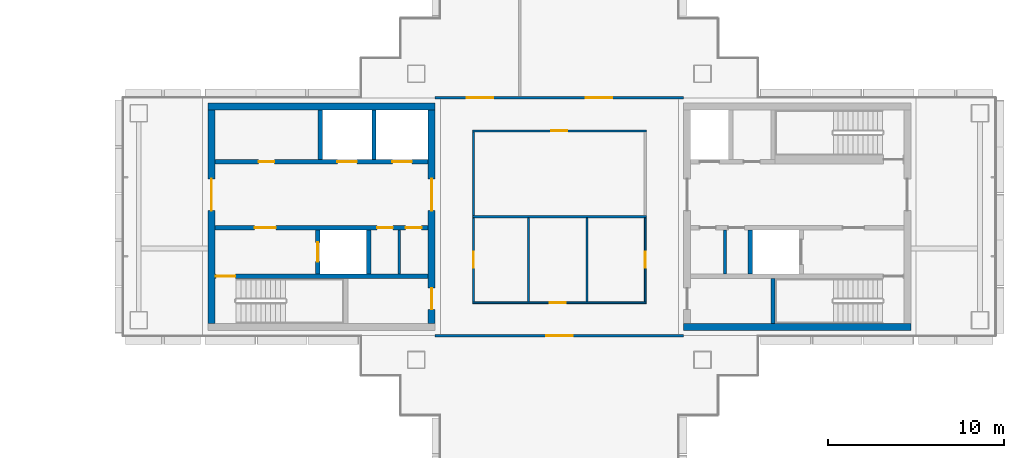
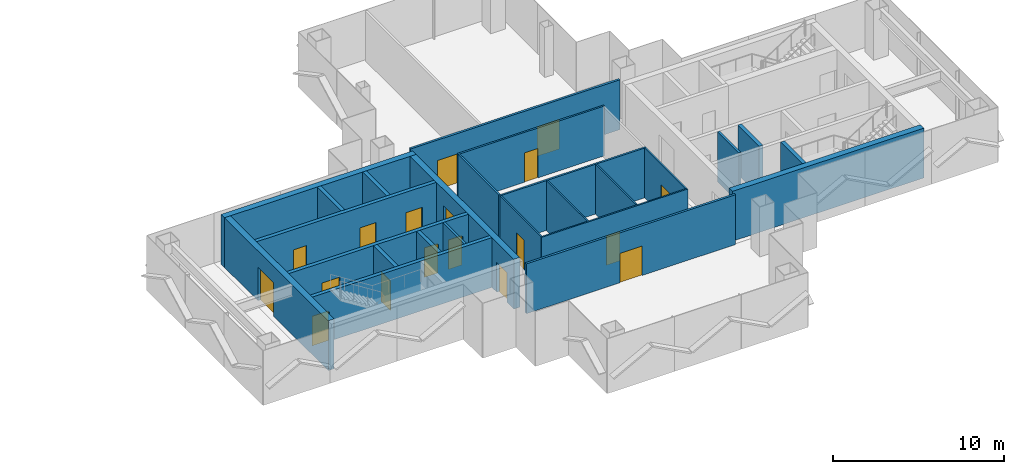
# One storey, part 11 of 17: 25 walls, 18 doors, 18 openings.
"""IFC4 building model written with IfcOpenShell, lengths in metres."""

from ifc_helpers import new_model, si_unit, direction, frame, frame_2d, origin, place, context, subcontext, project, spatial, rectangle, extrude, material, layer, layer_set, type_object, element, fill, save


model = new_model("IFC4")

# Units and contexts
model_context = context("Model", 3, precision=1e-05, world=origin(), true_north=direction((0.0, 1.0)))
body_context = subcontext(model_context, "Body", "Model", "MODEL_VIEW")
ifc_project = project(units=[si_unit("LENGTHUNIT", "METRE"), si_unit("AREAUNIT", "SQUARE_METRE"), si_unit("VOLUMEUNIT", "CUBIC_METRE"), si_unit("PLANEANGLEUNIT", "RADIAN"), si_unit("MASSUNIT", "GRAM", prefix="KILO")], contexts=[model_context])

# Site, building, storey
site_placement = place(None, origin())
site = spatial("IfcSite", under=ifc_project, at=site_placement, CompositionType="ELEMENT")
building_placement = place(site_placement, origin())
building = spatial("IfcBuilding", under=site, at=building_placement, Name="Shamsa Quay Exchange Towers", CompositionType="ELEMENT")
storey_placement = place(building_placement, frame((0.0, 0.0, 217.800048828125)))
storey = spatial("IfcBuildingStorey", under=building, at=storey_placement, Name="L52", CompositionType="ELEMENT", Elevation=217.800048828125)

# Wall
ifc_material_1 = material(Name="Concrete C60/75", Category="concrete")
ifc_layer_1 = layer(ifc_material_1, 0.39990234375)
ifc_layer_set_1 = layer_set([ifc_layer_1], Name="CORE WALL 400 C60/75")
wall_type_1 = type_object("IfcWallType", Name="CORE WALL 400 C60/75", PredefinedType="SHEAR", material=ifc_layer_set_1)
wall_1_placement = place(storey_placement, frame((13.800048828125, 6.25, 0.0)))
element("IfcWall", 1, at=wall_1_placement, inside=storey, type_object=wall_type_1, Name="Core wall T2A-R24-PN", PredefinedType="SHEAR", context=body_context, shape_type="SweptSolid", body=[
    extrude(rectangle(XDim=12.89990234375, YDim=0.39990234375, at=frame_2d((6.449951171875, 0.0))), origin(), (0.0, 0.0, 1.0), 3.550048828125),
])

# Wall, opening, door
wall_2_placement = place(storey_placement, frame((14.0, 6.050048828125, 0.0), z_axis=(0.0, 0.0, 1.0), x_axis=(0.0, -1.0, 0.0)))
wall_2 = element("IfcWall", 2, at=wall_2_placement, inside=storey, type_object=wall_type_1, Name="Core wall T2A-R24-PF", PredefinedType="SHEAR", context=body_context, shape_type="SweptSolid", body=[
    extrude(rectangle(XDim=12.10009765625, YDim=0.39990234375, at=frame_2d((6.050048828125, 0.0))), origin(), (0.0, 0.0, 1.0), 3.550048828125),
])
opening_1_placement = place(wall_2_placement, frame((3.89990234375, 0.0, 0.0)))
opening_1 = element("IfcOpeningElement", 3, at=opening_1_placement, cuts=wall_2, Name="Opening T2A-R24-LBD01", PredefinedType="OPENING", context=body_context, shape_type="SweptSolid", body=[
    extrude(rectangle(XDim=1.800048828125, YDim=2.39990234375, at=frame_2d((0.89990234375, 1.199951171875))), frame((0.0, 0.2099609375, 0.0), z_axis=(0.0, -1.0, 0.0), x_axis=(1.0, 0.0, 0.0)), (0.0, 0.0, 1.0), 0.419921875),
])
ifc_material_2 = material(Name="Steel, fire rated", Category="steel")
door_type_1 = type_object("IfcDoorType", Name="LIFT LOBBY DOOR PAIR 1800", OperationType="DOUBLE_DOOR_SINGLE_SWING", PredefinedType="DOOR", material=ifc_material_2)
door_1_placement = place(opening_1_placement, origin())
door_1 = element("IfcDoor", 4, at=door_1_placement, inside=storey, type_object=door_type_1, Name="T2A-R24-LBD01", OperationType="DOUBLE_DOOR_SINGLE_SWING", OverallHeight=2.39990234375, OverallWidth=1.800048828125, PredefinedType="DOOR", context=body_context, shape_type="SweptSolid", body=[
    extrude(rectangle(XDim=1.800048828125, YDim=2.39990234375, at=frame_2d((0.89990234375, 1.199951171875))), frame((0.0, 0.02490234375, 0.0), z_axis=(0.0, -1.0, 0.0), x_axis=(1.0, 0.0, 0.0)), (0.0, 0.0, 1.0), 0.050048828125),
])
fill(opening_1, door_1)

# Wall, openings, doors
wall_3_placement = place(storey_placement, frame((26.5, 6.050048828125, 0.0), z_axis=(0.0, 0.0, 1.0), x_axis=(0.0, -1.0, 0.0)))
wall_3 = element("IfcWall", 5, at=wall_3_placement, inside=storey, type_object=wall_type_1, Name="Core wall T2A-R24-PB", PredefinedType="SHEAR", context=body_context, shape_type="SweptSolid", body=[
    extrude(rectangle(XDim=12.10009765625, YDim=0.39990234375, at=frame_2d((6.050048828125, 0.0))), origin(), (0.0, 0.0, 1.0), 3.550048828125),
])
opening_2_placement = place(wall_3_placement, frame((10.10009765625, 0.0, 0.0)))
opening_2 = element("IfcOpeningElement", 6, at=opening_2_placement, cuts=wall_3, Name="Opening T2A-R24-RD02", PredefinedType="OPENING", context=body_context, shape_type="SweptSolid", body=[
    extrude(rectangle(XDim=1.199951171875, YDim=2.10009765625, at=frame_2d((0.60009765625, 1.050048828125))), frame((0.0, 0.2099609375, 0.0), z_axis=(0.0, -1.0, 0.0), x_axis=(1.0, 0.0, 0.0)), (0.0, 0.0, 1.0), 0.419921875),
])
opening_3_placement = place(wall_3_placement, frame((3.89990234375, 0.0, 0.0)))
opening_3 = element("IfcOpeningElement", 7, at=opening_3_placement, cuts=wall_3, Name="Opening T2A-R24-LBD03", PredefinedType="OPENING", context=body_context, shape_type="SweptSolid", body=[
    extrude(rectangle(XDim=1.800048828125, YDim=2.39990234375, at=frame_2d((0.89990234375, 1.199951171875))), frame((0.0, 0.2099609375, 0.0), z_axis=(0.0, -1.0, 0.0), x_axis=(1.0, 0.0, 0.0)), (0.0, 0.0, 1.0), 0.419921875),
])
door_2_placement = place(opening_3_placement, origin())
door_2 = element("IfcDoor", 8, at=door_2_placement, inside=storey, type_object=door_type_1, Name="T2A-R24-LBD03", OperationType="DOUBLE_DOOR_SINGLE_SWING", OverallHeight=2.39990234375, OverallWidth=1.800048828125, PredefinedType="DOOR", context=body_context, shape_type="SweptSolid", body=[
    extrude(rectangle(XDim=1.800048828125, YDim=2.39990234375, at=frame_2d((0.89990234375, 1.199951171875))), frame((0.0, 0.02490234375, 0.0), z_axis=(0.0, -1.0, 0.0), x_axis=(1.0, 0.0, 0.0)), (0.0, 0.0, 1.0), 0.050048828125),
])
fill(opening_3, door_2)
door_type_2 = type_object("IfcDoorType", Name="RISER ACCESS DOOR 1200", OperationType="SINGLE_SWING_LEFT", PredefinedType="DOOR", material=ifc_material_2)
door_3_placement = place(opening_2_placement, origin())
door_3 = element("IfcDoor", 9, at=door_3_placement, inside=storey, type_object=door_type_2, Name="T2A-R24-RD02", OperationType="SINGLE_SWING_RIGHT", OverallHeight=2.10009765625, OverallWidth=1.199951171875, PredefinedType="DOOR", context=body_context, shape_type="SweptSolid", body=[
    extrude(rectangle(XDim=1.199951171875, YDim=2.10009765625, at=frame_2d((0.60009765625, 1.050048828125))), frame((0.0, 0.02490234375, 0.0), z_axis=(0.0, -1.0, 0.0), x_axis=(1.0, 0.0, 0.0)), (0.0, 0.0, 1.0), 0.050048828125),
])
fill(opening_2, door_3)

# Walls
wall_4_placement = place(storey_placement, frame((53.699951171875, -6.25, 0.0), z_axis=(0.0, 0.0, 1.0), x_axis=(-1.0, 0.0, 0.0)))
element("IfcWall", 10, at=wall_4_placement, inside=storey, type_object=wall_type_1, Name="Core wall T2B-R24-PS", PredefinedType="SHEAR", context=body_context, shape_type="SweptSolid", body=[
    extrude(rectangle(XDim=12.89990234375, YDim=0.39990234375, at=frame_2d((6.449951171875, 0.0))), origin(), (0.0, 0.0, 1.0), 3.550048828125),
])
ifc_material_3 = material(Name="Gypsum board on steel studs, EI 60", Category="steel")
ifc_layer_2 = layer(ifc_material_3, 0.14990234375)
ifc_layer_set_2 = layer_set([ifc_layer_2], Name="FIRE PARTITION 150")
wall_type_2 = type_object("IfcWallType", Name="FIRE PARTITION 150", PredefinedType="PARTITIONING", material=ifc_layer_set_2)
for number, where, z_axis, x_axis, name in (
    (11, (24.64990234375, -3.25, 0.0), (0.0, 0.0, 1.0), (0.0, 1.0, 0.0), "Partition T2A-R24-EC0"),
    (12, (43.14990234375, -3.25, 0.0), (0.0, 0.0, 1.0), (0.0, 1.0, 0.0), "Partition T2B-R24-EC0"),
):
    element("IfcWall", number, at=place(storey_placement, frame(where, z_axis=z_axis, x_axis=x_axis)), inside=storey, type_object=wall_type_2, Name=name, PredefinedType="PARTITIONING", context=body_context, shape_type="SweptSolid", body=[
        extrude(rectangle(XDim=2.5, YDim=0.14990234375, at=frame_2d((1.25, 0.0))), origin(), (0.0, 0.0, 1.0), 3.550048828125),
    ])
ifc_material_4 = material(Name="Laminated fire-resisting glass in a metal frame", Category="glass")
ifc_layer_3 = layer(ifc_material_4, 0.125)
ifc_layer_set_3 = layer_set([ifc_layer_3], Name="Glazed partition 125 mm EI 60")
wall_type_3 = type_object("IfcWallType", Name="Glazed partition 125 mm EI 60", PredefinedType="PARTITIONING", material=ifc_layer_set_3)
wall_5_placement = place(storey_placement, frame((28.875, 4.8125, 0.0), z_axis=(0.0, 0.0, 1.0), x_axis=(0.0, -1.0, 0.0)))
element("IfcWall", 13, at=wall_5_placement, inside=storey, type_object=wall_type_3, Name="Partition T2-R24-W05", PredefinedType="PARTITIONING", context=body_context, shape_type="SweptSolid", body=[
    extrude(rectangle(XDim=4.75, YDim=0.125, at=frame_2d((2.375, 0.0))), origin(), (0.0, 0.0, 1.0), 3.550048828125),
])

# Wall, opening, door
wall_6_placement = place(storey_placement, frame((38.6875, 4.875, 0.0), z_axis=(0.0, 0.0, 1.0), x_axis=(-1.0, 0.0, 0.0)))
wall_6 = element("IfcWall", 14, at=wall_6_placement, inside=storey, type_object=wall_type_3, Name="Partition T2-R24-W06", PredefinedType="PARTITIONING", context=body_context, shape_type="SweptSolid", body=[
    extrude(rectangle(XDim=9.875, YDim=0.125, at=frame_2d((4.9375, 0.0))), origin(), (0.0, 0.0, 1.0), 3.550048828125),
])
opening_4_placement = place(wall_6_placement, frame((4.487548828125, 0.0, 0.0)))
opening_4 = element("IfcOpeningElement", 15, at=opening_4_placement, cuts=wall_6, Name="Opening T2-R24-D06", PredefinedType="OPENING", context=body_context, shape_type="SweptSolid", body=[
    extrude(rectangle(XDim=0.89990234375, YDim=2.10009765625, at=frame_2d((0.449951171875, 1.050048828125))), frame((0.0, 0.072509765625, 0.0), z_axis=(0.0, -1.0, 0.0), x_axis=(1.0, 0.0, 0.0)), (0.0, 0.0, 1.0), 0.14501953125),
])
ifc_material_5 = material(Name="Timber door leaf in a metal frame", Category="wood")
door_type_3 = type_object("IfcDoorType", Name="Door 900x2100 FD30S", OperationType="NOTDEFINED", PredefinedType="DOOR", material=ifc_material_5)
door_4_placement = place(opening_4_placement, origin())
door_4 = element("IfcDoor", 16, at=door_4_placement, inside=storey, type_object=door_type_3, Name="Door T2-R24-D06", OperationType="SINGLE_SWING_LEFT", OverallHeight=2.10009765625, OverallWidth=0.89990234375, PredefinedType="DOOR", context=body_context, shape_type="SweptSolid", body=[
    extrude(rectangle(XDim=0.89990234375, YDim=2.10009765625, at=frame_2d((0.449951171875, 1.050048828125))), frame((0.0, 0.02490234375, 0.0), z_axis=(0.0, -1.0, 0.0), x_axis=(1.0, 0.0, 0.0)), (0.0, 0.0, 1.0), 0.050048828125),
])
fill(opening_4, door_4)

# Wall
wall_7_placement = place(storey_placement, frame((38.6875, 0.0, 0.0), z_axis=(0.0, 0.0, 1.0), x_axis=(-1.0, 0.0, 0.0)))
element("IfcWall", 17, at=wall_7_placement, inside=storey, type_object=wall_type_3, Name="Partition T2-R24-W10", PredefinedType="PARTITIONING", context=body_context, shape_type="SweptSolid", body=[
    extrude(rectangle(XDim=9.875, YDim=0.125, at=frame_2d((4.9375, 0.0))), origin(), (0.0, 0.0, 1.0), 3.550048828125),
])

# Wall, opening, door
ifc_material_6 = material(Name="Gypsum board partition on metal studs")
ifc_layer_4 = layer(ifc_material_6, 0.10009765625)
ifc_layer_set_4 = layer_set([ifc_layer_4], Name="Partition 100 mm NOT RATED")
wall_type_4 = type_object("IfcWallType", Name="Partition 100 mm NOT RATED", PredefinedType="PARTITIONING", material=ifc_layer_set_4)
wall_8_placement = place(storey_placement, frame((38.625, -4.824951171875, 0.0), z_axis=(0.0, 0.0, 1.0), x_axis=(0.0, 1.0, 0.0)))
wall_8 = element("IfcWall", 18, at=wall_8_placement, inside=storey, type_object=wall_type_4, Name="Partition T2-R24-W01", PredefinedType="PARTITIONING", context=body_context, shape_type="SweptSolid", body=[
    extrude(rectangle(XDim=4.762451171875, YDim=0.10009765625, at=frame_2d((2.38134765625, 0.0))), origin(), (0.0, 0.0, 1.0), 3.550048828125),
])
opening_5_placement = place(wall_8_placement, frame((1.9375, 0.0, 0.0)))
opening_5 = element("IfcOpeningElement", 19, at=opening_5_placement, cuts=wall_8, Name="Opening T2-R24-D04", PredefinedType="OPENING", context=body_context, shape_type="SweptSolid", body=[
    extrude(rectangle(XDim=0.89990234375, YDim=2.10009765625, at=frame_2d((0.449951171875, 1.050048828125))), frame((0.0, 0.06005859375, 0.0), z_axis=(0.0, -1.0, 0.0), x_axis=(1.0, 0.0, 0.0)), (0.0, 0.0, 1.0), 0.1201171875),
])
door_type_4 = type_object("IfcDoorType", Name="Door 900x2100 NOT RATED", OperationType="NOTDEFINED", PredefinedType="DOOR", material=ifc_material_5)
door_5_placement = place(opening_5_placement, origin())
door_5 = element("IfcDoor", 20, at=door_5_placement, inside=storey, type_object=door_type_4, Name="Door T2-R24-D04", OperationType="SINGLE_SWING_LEFT", OverallHeight=2.10009765625, OverallWidth=0.89990234375, PredefinedType="DOOR", context=body_context, shape_type="SweptSolid", body=[
    extrude(rectangle(XDim=0.89990234375, YDim=2.10009765625, at=frame_2d((0.449951171875, 1.050048828125))), frame((0.0, 0.02490234375, 0.0), z_axis=(0.0, -1.0, 0.0), x_axis=(1.0, 0.0, 0.0)), (0.0, 0.0, 1.0), 0.050048828125),
])
fill(opening_5, door_5)

wall_9_placement = place(storey_placement, frame((28.824951171875, -4.875, 0.0)))
wall_9 = element("IfcWall", 21, at=wall_9_placement, inside=storey, type_object=wall_type_4, Name="Partition T2-R24-W02", PredefinedType="PARTITIONING", context=body_context, shape_type="SweptSolid", body=[
    extrude(rectangle(XDim=9.85009765625, YDim=0.10009765625, at=frame_2d((4.925048828125, 0.0))), origin(), (0.0, 0.0, 1.0), 3.550048828125),
])
opening_6_placement = place(wall_9_placement, frame((4.381103515625, 0.0, 0.0)))
opening_6 = element("IfcOpeningElement", 22, at=opening_6_placement, cuts=wall_9, Name="Opening T2-R24-D03", PredefinedType="OPENING", context=body_context, shape_type="SweptSolid", body=[
    extrude(rectangle(XDim=0.89990234375, YDim=2.10009765625, at=frame_2d((0.449951171875, 1.050048828125))), frame((0.0, 0.06005859375, 0.0), z_axis=(0.0, -1.0, 0.0), x_axis=(1.0, 0.0, 0.0)), (0.0, 0.0, 1.0), 0.1201171875),
])
door_6_placement = place(opening_6_placement, origin())
door_6 = element("IfcDoor", 23, at=door_6_placement, inside=storey, type_object=door_type_4, Name="Door T2-R24-D03", OperationType="SINGLE_SWING_RIGHT", OverallHeight=2.10009765625, OverallWidth=0.89990234375, PredefinedType="DOOR", context=body_context, shape_type="SweptSolid", body=[
    extrude(rectangle(XDim=0.89990234375, YDim=2.10009765625, at=frame_2d((0.449951171875, 1.050048828125))), frame((0.0, 0.02490234375, 0.0), z_axis=(0.0, -1.0, 0.0), x_axis=(1.0, 0.0, 0.0)), (0.0, 0.0, 1.0), 0.050048828125),
])
fill(opening_6, door_6)

wall_10_placement = place(storey_placement, frame((28.875, -0.0625, 0.0), z_axis=(0.0, 0.0, 1.0), x_axis=(0.0, -1.0, 0.0)))
wall_10 = element("IfcWall", 24, at=wall_10_placement, inside=storey, type_object=wall_type_4, Name="Partition T2-R24-W03", PredefinedType="PARTITIONING", context=body_context, shape_type="SweptSolid", body=[
    extrude(rectangle(XDim=4.762451171875, YDim=0.10009765625, at=frame_2d((2.38134765625, 0.0))), origin(), (0.0, 0.0, 1.0), 3.550048828125),
])
opening_7_placement = place(wall_10_placement, frame((1.925048828125, 0.0, 0.0)))
opening_7 = element("IfcOpeningElement", 25, at=opening_7_placement, cuts=wall_10, Name="Opening T2-R24-D05", PredefinedType="OPENING", context=body_context, shape_type="SweptSolid", body=[
    extrude(rectangle(XDim=0.89990234375, YDim=2.10009765625, at=frame_2d((0.449951171875, 1.050048828125))), frame((0.0, 0.06005859375, 0.0), z_axis=(0.0, -1.0, 0.0), x_axis=(1.0, 0.0, 0.0)), (0.0, 0.0, 1.0), 0.1201171875),
])
door_7_placement = place(opening_7_placement, origin())
door_7 = element("IfcDoor", 26, at=door_7_placement, inside=storey, type_object=door_type_4, Name="Door T2-R24-D05", OperationType="SINGLE_SWING_RIGHT", OverallHeight=2.10009765625, OverallWidth=0.89990234375, PredefinedType="DOOR", context=body_context, shape_type="SweptSolid", body=[
    extrude(rectangle(XDim=0.89990234375, YDim=2.10009765625, at=frame_2d((0.449951171875, 1.050048828125))), frame((0.0, 0.02490234375, 0.0), z_axis=(0.0, -1.0, 0.0), x_axis=(1.0, 0.0, 0.0)), (0.0, 0.0, 1.0), 0.050048828125),
])
fill(opening_7, door_7)

# Walls
for number, where, z_axis, x_axis, name in (
    (27, (35.3125, -0.0625, 0.0), (0.0, 0.0, 1.0), (0.0, -1.0, 0.0), "Partition T2-R24-W09"),
    (28, (32.0, -0.0625, 0.0), (0.0, 0.0, 1.0), (0.0, -1.0, 0.0), "Partition T2-R24-W11"),
):
    element("IfcWall", number, at=place(storey_placement, frame(where, z_axis=z_axis, x_axis=x_axis)), inside=storey, type_object=wall_type_4, Name=name, PredefinedType="PARTITIONING", context=body_context, shape_type="SweptSolid", body=[
        extrude(rectangle(XDim=4.762451171875, YDim=0.10009765625, at=frame_2d((2.38134765625, 0.0))), origin(), (0.0, 0.0, 1.0), 3.550048828125),
    ])

# Wall, openings, doors
ifc_layer_5 = layer(ifc_material_6, 0.14990234375)
ifc_layer_set_5 = layer_set([ifc_layer_5], Name="Partition 150 mm EI 60")
wall_type_5 = type_object("IfcWallType", Name="Partition 150 mm EI 60", PredefinedType="PARTITIONING", material=ifc_layer_set_5)
wall_11_placement = place(storey_placement, frame((26.699951171875, 6.75, 0.0)))
wall_11 = element("IfcWall", 29, at=wall_11_placement, inside=storey, type_object=wall_type_5, Name="Partition T2-R24-W07", PredefinedType="PARTITIONING", context=body_context, shape_type="SweptSolid", body=[
    extrude(rectangle(XDim=14.10009765625, YDim=0.14990234375, at=frame_2d((7.050048828125, 0.0))), origin(), (0.0, 0.0, 1.0), 3.550048828125),
])
opening_8_placement = place(wall_11_placement, frame((8.550048828125, 0.0, 0.0)))
opening_8 = element("IfcOpeningElement", 30, at=opening_8_placement, cuts=wall_11, Name="Opening T2-R24-D01", PredefinedType="OPENING", context=body_context, shape_type="SweptSolid", body=[
    extrude(rectangle(XDim=1.5, YDim=2.10009765625, at=frame_2d((0.75, 1.050048828125))), frame((0.0, 0.0849609375, 0.0), z_axis=(0.0, -1.0, 0.0), x_axis=(1.0, 0.0, 0.0)), (0.0, 0.0, 1.0), 0.169921875),
])
opening_9_placement = place(wall_11_placement, frame((1.800048828125, 0.0, 0.0)))
opening_9 = element("IfcOpeningElement", 31, at=opening_9_placement, cuts=wall_11, Name="Opening T2-R24-D02", PredefinedType="OPENING", context=body_context, shape_type="SweptSolid", body=[
    extrude(rectangle(XDim=1.5, YDim=2.10009765625, at=frame_2d((0.75, 1.050048828125))), frame((0.0, 0.0849609375, 0.0), z_axis=(0.0, -1.0, 0.0), x_axis=(1.0, 0.0, 0.0)), (0.0, 0.0, 1.0), 0.169921875),
])
door_type_5 = type_object("IfcDoorType", Name="Door 1500x2100 FD30S pair", OperationType="NOTDEFINED", PredefinedType="DOOR", material=ifc_material_5)
door_8_placement = place(opening_8_placement, origin())
door_8 = element("IfcDoor", 32, at=door_8_placement, inside=storey, type_object=door_type_5, Name="Door T2-R24-D01", OperationType="DOUBLE_DOOR_SINGLE_SWING", OverallHeight=2.10009765625, OverallWidth=1.5, PredefinedType="DOOR", context=body_context, shape_type="SweptSolid", body=[
    extrude(rectangle(XDim=1.5, YDim=2.10009765625, at=frame_2d((0.75, 1.050048828125))), frame((0.0, 0.02490234375, 0.0), z_axis=(0.0, -1.0, 0.0), x_axis=(1.0, 0.0, 0.0)), (0.0, 0.0, 1.0), 0.050048828125),
])
fill(opening_8, door_8)
door_9_placement = place(opening_9_placement, origin())
door_9 = element("IfcDoor", 33, at=door_9_placement, inside=storey, type_object=door_type_5, Name="Door T2-R24-D02", OperationType="DOUBLE_DOOR_SINGLE_SWING", OverallHeight=2.10009765625, OverallWidth=1.5, PredefinedType="DOOR", context=body_context, shape_type="SweptSolid", body=[
    extrude(rectangle(XDim=1.5, YDim=2.10009765625, at=frame_2d((0.75, 1.050048828125))), frame((0.0, 0.02490234375, 0.0), z_axis=(0.0, -1.0, 0.0), x_axis=(1.0, 0.0, 0.0)), (0.0, 0.0, 1.0), 0.050048828125),
])
fill(opening_9, door_9)

# Wall, opening, door
wall_12_placement = place(storey_placement, frame((40.800048828125, -6.75, 0.0), z_axis=(0.0, 0.0, 1.0), x_axis=(-1.0, 0.0, 0.0)))
wall_12 = element("IfcWall", 34, at=wall_12_placement, inside=storey, type_object=wall_type_5, Name="Partition T2-R24-W08", PredefinedType="PARTITIONING", context=body_context, shape_type="SweptSolid", body=[
    extrude(rectangle(XDim=14.10009765625, YDim=0.14990234375, at=frame_2d((7.050048828125, 0.0))), origin(), (0.0, 0.0, 1.0), 3.550048828125),
])
opening_10_placement = place(wall_12_placement, frame((6.300048828125, 0.0, 0.0)))
opening_10 = element("IfcOpeningElement", 35, at=opening_10_placement, cuts=wall_12, Name="Opening T2-R24-D07", PredefinedType="OPENING", context=body_context, shape_type="SweptSolid", body=[
    extrude(rectangle(XDim=1.5, YDim=2.10009765625, at=frame_2d((0.75, 1.050048828125))), frame((0.0, 0.0849609375, 0.0), z_axis=(0.0, -1.0, 0.0), x_axis=(1.0, 0.0, 0.0)), (0.0, 0.0, 1.0), 0.169921875),
])
door_10_placement = place(opening_10_placement, origin())
door_10 = element("IfcDoor", 36, at=door_10_placement, inside=storey, type_object=door_type_5, Name="Door T2-R24-D07", OperationType="DOUBLE_DOOR_SINGLE_SWING", OverallHeight=2.10009765625, OverallWidth=1.5, PredefinedType="DOOR", context=body_context, shape_type="SweptSolid", body=[
    extrude(rectangle(XDim=1.5, YDim=2.10009765625, at=frame_2d((0.75, 1.050048828125))), frame((0.0, 0.02490234375, 0.0), z_axis=(0.0, -1.0, 0.0), x_axis=(1.0, 0.0, 0.0)), (0.0, 0.0, 1.0), 0.050048828125),
])
fill(opening_10, door_10)

ifc_material_7 = material(Name="Concrete C50/60", Category="concrete")
ifc_layer_6 = layer(ifc_material_7, 0.25)
ifc_layer_set_6 = layer_set([ifc_layer_6], Name="SHAFT WALL 250 C50/60")
wall_type_6 = type_object("IfcWallType", Name="SHAFT WALL 250 C50/60", PredefinedType="SHEAR", material=ifc_layer_set_6)
wall_13_placement = place(storey_placement, frame((26.300048828125, -3.375, 0.0), z_axis=(0.0, 0.0, 1.0), x_axis=(-1.0, 0.0, 0.0)))
wall_13 = element("IfcWall", 37, at=wall_13_placement, inside=storey, type_object=wall_type_6, Name="Shaft wall T2A-R24-STL", PredefinedType="SHEAR", context=body_context, shape_type="SweptSolid", body=[
    extrude(rectangle(XDim=12.10009765625, YDim=0.25, at=frame_2d((6.050048828125, 0.0))), origin(), (0.0, 0.0, 1.0), 3.550048828125),
])
opening_11_placement = place(wall_13_placement, frame((10.949951171875, 0.0, 0.0)))
opening_11 = element("IfcOpeningElement", 38, at=opening_11_placement, cuts=wall_13, Name="Opening T2A-R24-SD04", PredefinedType="OPENING", context=body_context, shape_type="SweptSolid", body=[
    extrude(rectangle(XDim=1.10009765625, YDim=2.10009765625, at=frame_2d((0.550048828125, 1.050048828125))), frame((0.0, 0.135009765625, 0.0), z_axis=(0.0, -1.0, 0.0), x_axis=(1.0, 0.0, 0.0)), (0.0, 0.0, 1.0), 0.27001953125),
])
door_type_6 = type_object("IfcDoorType", Name="STAIR DOOR 1100", OperationType="SINGLE_SWING_LEFT", PredefinedType="DOOR", material=ifc_material_2)
door_11_placement = place(opening_11_placement, origin())
door_11 = element("IfcDoor", 39, at=door_11_placement, inside=storey, type_object=door_type_6, Name="T2A-R24-SD04", OperationType="SINGLE_SWING_RIGHT", OverallHeight=2.10009765625, OverallWidth=1.10009765625, PredefinedType="DOOR", context=body_context, shape_type="SweptSolid", body=[
    extrude(rectangle(XDim=1.10009765625, YDim=2.10009765625, at=frame_2d((0.550048828125, 1.050048828125))), frame((0.0, 0.02490234375, 0.0), z_axis=(0.0, -1.0, 0.0), x_axis=(1.0, 0.0, 0.0)), (0.0, 0.0, 1.0), 0.050048828125),
])
fill(opening_11, door_11)

# Wall, openings, doors
wall_14_placement = place(storey_placement, frame((26.300048828125, -0.625, 0.0), z_axis=(0.0, 0.0, 1.0), x_axis=(-1.0, 0.0, 0.0)))
wall_14 = element("IfcWall", 40, at=wall_14_placement, inside=storey, type_object=wall_type_6, Name="Shaft wall T2A-R24-B", PredefinedType="SHEAR", context=body_context, shape_type="SweptSolid", body=[
    extrude(rectangle(XDim=12.10009765625, YDim=0.25, at=frame_2d((6.050048828125, 0.0))), origin(), (0.0, 0.0, 1.0), 3.550048828125),
])
opening_12_placement = place(wall_14_placement, frame((8.64990234375, 0.0, 0.0)))
opening_12 = element("IfcOpeningElement", 41, at=opening_12_placement, cuts=wall_14, Name="Opening T2A-R24-FD05", PredefinedType="OPENING", context=body_context, shape_type="SweptSolid", body=[
    extrude(rectangle(XDim=1.199951171875, YDim=2.10009765625, at=frame_2d((0.60009765625, 1.050048828125))), frame((0.0, 0.135009765625, 0.0), z_axis=(0.0, -1.0, 0.0), x_axis=(1.0, 0.0, 0.0)), (0.0, 0.0, 1.0), 0.27001953125),
])
opening_13_placement = place(wall_14_placement, frame((2.0, 0.0, 0.0)))
opening_13 = element("IfcOpeningElement", 42, at=opening_13_placement, cuts=wall_14, Name="Opening T2A-R24-SV06", PredefinedType="OPENING", context=body_context, shape_type="SweptSolid", body=[
    extrude(rectangle(XDim=0.89990234375, YDim=2.10009765625, at=frame_2d((0.449951171875, 1.050048828125))), frame((0.0, 0.135009765625, 0.0), z_axis=(0.0, -1.0, 0.0), x_axis=(1.0, 0.0, 0.0)), (0.0, 0.0, 1.0), 0.27001953125),
])
opening_14_placement = place(wall_14_placement, frame((0.375, 0.0, 0.0)))
opening_14 = element("IfcOpeningElement", 43, at=opening_14_placement, cuts=wall_14, Name="Opening T2A-R24-SV07", PredefinedType="OPENING", context=body_context, shape_type="SweptSolid", body=[
    extrude(rectangle(XDim=0.89990234375, YDim=2.10009765625, at=frame_2d((0.449951171875, 1.050048828125))), frame((0.0, 0.135009765625, 0.0), z_axis=(0.0, -1.0, 0.0), x_axis=(1.0, 0.0, 0.0)), (0.0, 0.0, 1.0), 0.27001953125),
])
door_type_7 = type_object("IfcDoorType", Name="FIRE SERVICE LOBBY DOOR 1200", OperationType="SINGLE_SWING_LEFT", PredefinedType="DOOR", material=ifc_material_2)
door_12_placement = place(opening_12_placement, origin())
door_12 = element("IfcDoor", 44, at=door_12_placement, inside=storey, type_object=door_type_7, Name="T2A-R24-FD05", OperationType="SINGLE_SWING_RIGHT", OverallHeight=2.10009765625, OverallWidth=1.199951171875, PredefinedType="DOOR", context=body_context, shape_type="SweptSolid", body=[
    extrude(rectangle(XDim=1.199951171875, YDim=2.10009765625, at=frame_2d((0.60009765625, 1.050048828125))), frame((0.0, 0.02490234375, 0.0), z_axis=(0.0, -1.0, 0.0), x_axis=(1.0, 0.0, 0.0)), (0.0, 0.0, 1.0), 0.050048828125),
])
fill(opening_12, door_12)
door_type_8 = type_object("IfcDoorType", Name="SERVICE ROOM DOOR 900", OperationType="SINGLE_SWING_LEFT", PredefinedType="DOOR", material=ifc_material_2)
door_13_placement = place(opening_13_placement, origin())
door_13 = element("IfcDoor", 45, at=door_13_placement, inside=storey, type_object=door_type_8, Name="T2A-R24-SV06", OperationType="SINGLE_SWING_LEFT", OverallHeight=2.10009765625, OverallWidth=0.89990234375, PredefinedType="DOOR", context=body_context, shape_type="SweptSolid", body=[
    extrude(rectangle(XDim=0.89990234375, YDim=2.10009765625, at=frame_2d((0.449951171875, 1.050048828125))), frame((0.0, 0.02490234375, 0.0), z_axis=(0.0, -1.0, 0.0), x_axis=(1.0, 0.0, 0.0)), (0.0, 0.0, 1.0), 0.050048828125),
])
fill(opening_13, door_13)
door_14_placement = place(opening_14_placement, origin())
door_14 = element("IfcDoor", 46, at=door_14_placement, inside=storey, type_object=door_type_8, Name="T2A-R24-SV07", OperationType="SINGLE_SWING_LEFT", OverallHeight=2.10009765625, OverallWidth=0.89990234375, PredefinedType="DOOR", context=body_context, shape_type="SweptSolid", body=[
    extrude(rectangle(XDim=0.89990234375, YDim=2.10009765625, at=frame_2d((0.449951171875, 1.050048828125))), frame((0.0, 0.02490234375, 0.0), z_axis=(0.0, -1.0, 0.0), x_axis=(1.0, 0.0, 0.0)), (0.0, 0.0, 1.0), 0.050048828125),
])
fill(opening_14, door_14)

# Wall, opening, door
wall_15_placement = place(storey_placement, frame((20.02490234375, -3.25, 0.0), z_axis=(0.0, 0.0, 1.0), x_axis=(0.0, 1.0, 0.0)))
wall_15 = element("IfcWall", 47, at=wall_15_placement, inside=storey, type_object=wall_type_6, Name="Shaft wall T2A-R24-FFF", PredefinedType="SHEAR", context=body_context, shape_type="SweptSolid", body=[
    extrude(rectangle(XDim=2.5, YDim=0.25, at=frame_2d((1.25, 0.0))), origin(), (0.0, 0.0, 1.0), 3.550048828125),
])
opening_15_placement = place(wall_15_placement, frame((0.699951171875, 0.0, 0.0)))
opening_15 = element("IfcOpeningElement", 48, at=opening_15_placement, cuts=wall_15, Name="Opening T2A-R24-LDF08", PredefinedType="OPENING", context=body_context, shape_type="SweptSolid", body=[
    extrude(rectangle(XDim=1.10009765625, YDim=2.10009765625, at=frame_2d((0.550048828125, 1.050048828125))), frame((0.0, 0.135009765625, 0.0), z_axis=(0.0, -1.0, 0.0), x_axis=(1.0, 0.0, 0.0)), (0.0, 0.0, 1.0), 0.27001953125),
])
door_type_9 = type_object("IfcDoorType", Name="FIRE SERVICE LANDING DOOR 1100", OperationType="SLIDING_TO_LEFT", PredefinedType="DOOR", material=ifc_material_2)
door_15_placement = place(opening_15_placement, origin())
door_15 = element("IfcDoor", 49, at=door_15_placement, inside=storey, type_object=door_type_9, Name="T2A-R24-LDF08", OperationType="SLIDING_TO_LEFT", OverallHeight=2.10009765625, OverallWidth=1.10009765625, PredefinedType="DOOR", context=body_context, shape_type="SweptSolid", body=[
    extrude(rectangle(XDim=1.10009765625, YDim=2.10009765625, at=frame_2d((0.550048828125, 1.050048828125))), frame((0.0, 0.02490234375, 0.0), z_axis=(0.0, -1.0, 0.0), x_axis=(1.0, 0.0, 0.0)), (0.0, 0.0, 1.0), 0.050048828125),
])
fill(opening_15, door_15)

# Wall
wall_16_placement = place(storey_placement, frame((22.925048828125, -3.25, 0.0), z_axis=(0.0, 0.0, 1.0), x_axis=(0.0, 1.0, 0.0)))
element("IfcWall", 50, at=wall_16_placement, inside=storey, type_object=wall_type_6, Name="Shaft wall T2A-R24-FFB", PredefinedType="SHEAR", context=body_context, shape_type="SweptSolid", body=[
    extrude(rectangle(XDim=2.5, YDim=0.25, at=frame_2d((1.25, 0.0))), origin(), (0.0, 0.0, 1.0), 3.550048828125),
])

# Wall, openings, doors
wall_17_placement = place(storey_placement, frame((14.199951171875, 3.125, 0.0)))
wall_17 = element("IfcWall", 51, at=wall_17_placement, inside=storey, type_object=wall_type_6, Name="Shaft wall T2A-R24-N", PredefinedType="SHEAR", context=body_context, shape_type="SweptSolid", body=[
    extrude(rectangle(XDim=12.10009765625, YDim=0.25, at=frame_2d((6.050048828125, 0.0))), origin(), (0.0, 0.0, 1.0), 3.550048828125),
])
opening_16_placement = place(wall_17_placement, frame((6.949951171875, 0.0, 0.0)))
opening_16 = element("IfcOpeningElement", 52, at=opening_16_placement, cuts=wall_17, Name="Opening T2A-R24-LD09", PredefinedType="OPENING", context=body_context, shape_type="SweptSolid", body=[
    extrude(rectangle(XDim=1.10009765625, YDim=2.10009765625, at=frame_2d((0.550048828125, 1.050048828125))), frame((0.0, 0.135009765625, 0.0), z_axis=(0.0, -1.0, 0.0), x_axis=(1.0, 0.0, 0.0)), (0.0, 0.0, 1.0), 0.27001953125),
])
opening_17_placement = place(wall_17_placement, frame((10.074951171875, 0.0, 0.0)))
opening_17 = element("IfcOpeningElement", 53, at=opening_17_placement, cuts=wall_17, Name="Opening T2A-R24-LD10", PredefinedType="OPENING", context=body_context, shape_type="SweptSolid", body=[
    extrude(rectangle(XDim=1.10009765625, YDim=2.10009765625, at=frame_2d((0.550048828125, 1.050048828125))), frame((0.0, 0.135009765625, 0.0), z_axis=(0.0, -1.0, 0.0), x_axis=(1.0, 0.0, 0.0)), (0.0, 0.0, 1.0), 0.27001953125),
])
opening_18_placement = place(wall_17_placement, frame((2.47509765625, 0.0, 0.0)))
opening_18 = element("IfcOpeningElement", 54, at=opening_18_placement, cuts=wall_17, Name="Opening T2A-R24-SV11", PredefinedType="OPENING", context=body_context, shape_type="SweptSolid", body=[
    extrude(rectangle(XDim=0.89990234375, YDim=2.10009765625, at=frame_2d((0.449951171875, 1.050048828125))), frame((0.0, 0.135009765625, 0.0), z_axis=(0.0, -1.0, 0.0), x_axis=(1.0, 0.0, 0.0)), (0.0, 0.0, 1.0), 0.27001953125),
])
door_type_10 = type_object("IfcDoorType", Name="LANDING DOOR 1100", OperationType="SLIDING_TO_LEFT", PredefinedType="DOOR", material=ifc_material_2)
door_16_placement = place(opening_16_placement, origin())
door_16 = element("IfcDoor", 55, at=door_16_placement, inside=storey, type_object=door_type_10, Name="T2A-R24-LD09", OperationType="SLIDING_TO_LEFT", OverallHeight=2.10009765625, OverallWidth=1.10009765625, PredefinedType="DOOR", context=body_context, shape_type="SweptSolid", body=[
    extrude(rectangle(XDim=1.10009765625, YDim=2.10009765625, at=frame_2d((0.550048828125, 1.050048828125))), frame((0.0, 0.02490234375, 0.0), z_axis=(0.0, -1.0, 0.0), x_axis=(1.0, 0.0, 0.0)), (0.0, 0.0, 1.0), 0.050048828125),
])
fill(opening_16, door_16)
door_17_placement = place(opening_17_placement, origin())
door_17 = element("IfcDoor", 56, at=door_17_placement, inside=storey, type_object=door_type_10, Name="T2A-R24-LD10", OperationType="SLIDING_TO_LEFT", OverallHeight=2.10009765625, OverallWidth=1.10009765625, PredefinedType="DOOR", context=body_context, shape_type="SweptSolid", body=[
    extrude(rectangle(XDim=1.10009765625, YDim=2.10009765625, at=frame_2d((0.550048828125, 1.050048828125))), frame((0.0, 0.02490234375, 0.0), z_axis=(0.0, -1.0, 0.0), x_axis=(1.0, 0.0, 0.0)), (0.0, 0.0, 1.0), 0.050048828125),
])
fill(opening_17, door_17)
door_18_placement = place(opening_18_placement, origin())
door_18 = element("IfcDoor", 57, at=door_18_placement, inside=storey, type_object=door_type_8, Name="T2A-R24-SV11", OperationType="SINGLE_SWING_LEFT", OverallHeight=2.10009765625, OverallWidth=0.89990234375, PredefinedType="DOOR", context=body_context, shape_type="SweptSolid", body=[
    extrude(rectangle(XDim=0.89990234375, YDim=2.10009765625, at=frame_2d((0.449951171875, 1.050048828125))), frame((0.0, 0.02490234375, 0.0), z_axis=(0.0, -1.0, 0.0), x_axis=(1.0, 0.0, 0.0)), (0.0, 0.0, 1.0), 0.050048828125),
])
fill(opening_18, door_18)

# Walls
for number, where, z_axis, x_axis, name in (
    (58, (20.175048828125, 3.25, 0.0), (0.0, 0.0, 1.0), (0.0, 1.0, 0.0), "Shaft wall T2A-R24-D1"),
    (59, (23.22509765625, 3.25, 0.0), (0.0, 0.0, 1.0), (0.0, 1.0, 0.0), "Shaft wall T2A-R24-D2"),
):
    element("IfcWall", number, at=place(storey_placement, frame(where, z_axis=z_axis, x_axis=x_axis)), inside=storey, type_object=wall_type_6, Name=name, PredefinedType="SHEAR", context=body_context, shape_type="SweptSolid", body=[
        extrude(rectangle(XDim=2.800048828125, YDim=0.25, at=frame_2d((1.39990234375, 0.0))), origin(), (0.0, 0.0, 1.0), 3.550048828125),
    ])
wall_18_placement = place(storey_placement, frame((45.875, -6.050048828125, 0.0), z_axis=(0.0, 0.0, 1.0), x_axis=(0.0, 1.0, 0.0)))
element("IfcWall", 60, at=wall_18_placement, inside=storey, type_object=wall_type_6, Name="Shaft wall T2B-R24-STF", PredefinedType="SHEAR", context=body_context, shape_type="SweptSolid", body=[
    extrude(rectangle(XDim=2.550048828125, YDim=0.25, at=frame_2d((1.27490234375, 0.0))), origin(), (0.0, 0.0, 1.0), 3.550048828125),
])
wall_19_placement = place(storey_placement, frame((44.574951171875, -3.25, 0.0), z_axis=(0.0, 0.0, 1.0), x_axis=(0.0, 1.0, 0.0)))
element("IfcWall", 61, at=wall_19_placement, inside=storey, type_object=wall_type_6, Name="Shaft wall T2B-R24-FFB", PredefinedType="SHEAR", context=body_context, shape_type="SweptSolid", body=[
    extrude(rectangle(XDim=2.5, YDim=0.25, at=frame_2d((1.25, 0.0))), origin(), (0.0, 0.0, 1.0), 3.550048828125),
])

save(model, "model.ifc")
